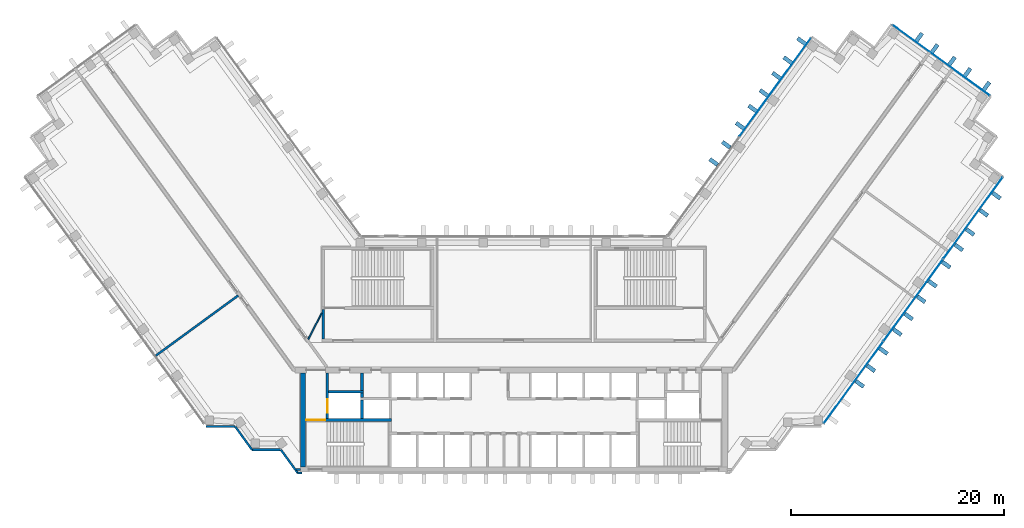
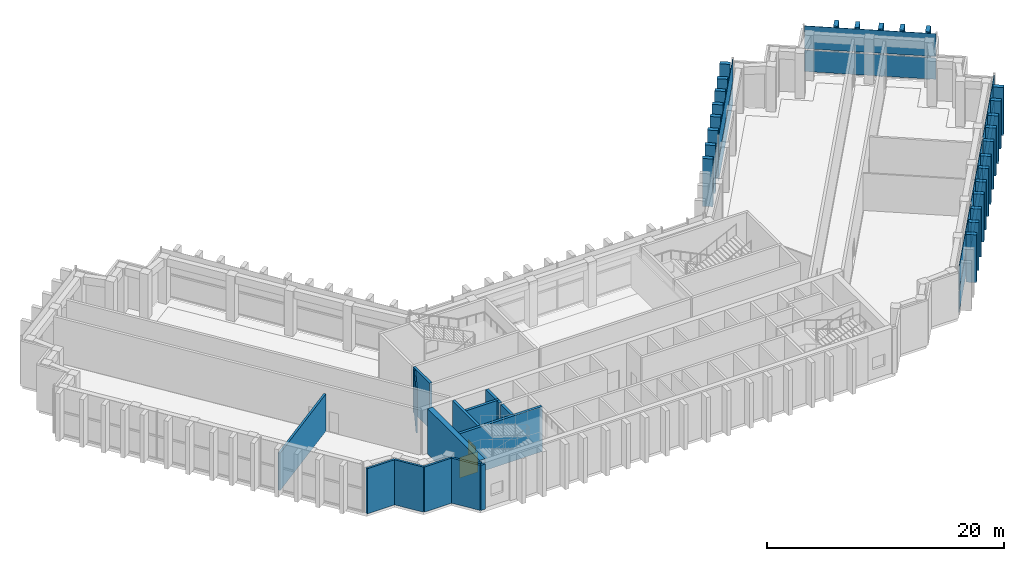
# One storey, part 7 of 14: 35 plates, 16 walls, 2 doors, 2 openings, 3 elements without a shape of their own.
"""IFC4 building model written with IfcOpenShell, lengths in metres."""

from ifc_helpers import new_model, si_unit, direction, frame, frame_2d, origin, origin_2d, place, context, subcontext, project, spatial, rectangle, extrude, material, layer, layer_set, type_object, element, fill, aggregate, save


model = new_model("IFC4")

# Units and contexts
model_context = context("Model", 3, precision=1e-05, world=origin(), true_north=direction((0.0, 1.0)))
body_context = subcontext(model_context, "Body", "Model", "MODEL_VIEW")
ifc_project = project(units=[si_unit("LENGTHUNIT", "METRE"), si_unit("AREAUNIT", "SQUARE_METRE"), si_unit("VOLUMEUNIT", "CUBIC_METRE"), si_unit("PLANEANGLEUNIT", "RADIAN"), si_unit("MASSUNIT", "GRAM", prefix="KILO")], contexts=[model_context])

# Site, building, storey
site_placement = place(None, origin())
site = spatial("IfcSite", under=ifc_project, at=site_placement, CompositionType="ELEMENT")
building_placement = place(site_placement, origin())
building = spatial("IfcBuilding", under=site, at=building_placement, Name="Quipu Civic Tower", CompositionType="ELEMENT")
storey_placement = place(building_placement, frame((0.0, 0.0, 139.0)))
storey = spatial("IfcBuildingStorey", under=building, at=storey_placement, Name="L32", CompositionType="ELEMENT", Elevation=139.0)

# Curtain wall, plates
ifc_material_1 = material(Name="Insulated glass unit", Category="glass")
curtain_wall_type = type_object("IfcCurtainWallType", Name="Sky lobby and refuge curtain wall CW5", PredefinedType="NOTDEFINED", material=ifc_material_1)
curtain_wall_1_placement = place(storey_placement, origin())
curtain_wall_1 = element("IfcCurtainWall", 1, at=curtain_wall_1_placement, inside=storey, type_object=curtain_wall_type, Name="Sky lobby and refuge curtain wall CW5 L32 run 23", PredefinedType="NOTDEFINED")
ifc_material_2 = material(Name="Insulated glass unit", Category="glass")
ifc_layer_1 = layer(ifc_material_2, 0.035888671875)
ifc_layer_set_1 = layer_set([ifc_layer_1], Name="Insulated glass unit")
plate_type_1 = type_object("IfcPlateType", Name="Glass panel CW5", PredefinedType="CURTAIN_PANEL", material=ifc_layer_set_1)
plate_1_placement = place(storey_placement, frame((31.829345703125, -2.602783203125, 0.22509765625), z_axis=(0.0, 0.0, 1.0), x_axis=(0.5877856923, 0.80901667469, 0.0)))
plate_1 = element("IfcPlate", 2, at=plate_1_placement, type_object=plate_type_1, Name="CW5 panel 1.1", PredefinedType="CURTAIN_PANEL", context=body_context, shape_type="SweptSolid", body=[
    extrude(rectangle(XDim=9.386962890625, YDim=0.035888671875, at=origin_2d()), origin(), (0.0, 0.0, 1.0), 2.199951171875),
])
plate_2_placement = place(storey_placement, frame((31.829345703125, -2.602783203125, 2.574951171875), z_axis=(0.0, 0.0, 1.0), x_axis=(0.5877856923, 0.80901667469, 0.0)))
plate_2 = element("IfcPlate", 3, at=plate_2_placement, type_object=plate_type_1, Name="CW5 panel 1.2", PredefinedType="CURTAIN_PANEL", context=body_context, shape_type="SweptSolid", body=[
    extrude(rectangle(XDim=9.386962890625, YDim=0.035888671875, at=origin_2d()), origin(), (0.0, 0.0, 1.0), 2.35009765625),
])
plate_3_placement = place(storey_placement, frame((37.427734375, 5.102783203125, 0.22509765625), z_axis=(0.0, 0.0, 1.0), x_axis=(0.5877856923, 0.80901667469, 0.0)))
plate_3 = element("IfcPlate", 4, at=plate_3_placement, type_object=plate_type_1, Name="CW5 panel 2.1", PredefinedType="CURTAIN_PANEL", context=body_context, shape_type="SweptSolid", body=[
    extrude(rectangle(XDim=9.44189453125, YDim=0.035888671875, at=origin_2d()), origin(), (0.0, 0.0, 1.0), 2.199951171875),
])
plate_4_placement = place(storey_placement, frame((37.427734375, 5.102783203125, 2.574951171875), z_axis=(0.0, 0.0, 1.0), x_axis=(0.5877856923, 0.80901667469, 0.0)))
plate_4 = element("IfcPlate", 5, at=plate_4_placement, type_object=plate_type_1, Name="CW5 panel 2.2", PredefinedType="CURTAIN_PANEL", context=body_context, shape_type="SweptSolid", body=[
    extrude(rectangle(XDim=9.44189453125, YDim=0.035888671875, at=origin_2d()), origin(), (0.0, 0.0, 1.0), 2.35009765625),
])
plate_5_placement = place(storey_placement, frame((43.026123046875, 12.80810546875, 0.22509765625), z_axis=(0.0, 0.0, 1.0), x_axis=(0.5877856923, 0.80901667469, 0.0)))
plate_5 = element("IfcPlate", 6, at=plate_5_placement, type_object=plate_type_1, Name="CW5 panel 3.1", PredefinedType="CURTAIN_PANEL", context=body_context, shape_type="SweptSolid", body=[
    extrude(rectangle(XDim=9.386962890625, YDim=0.035888671875, at=origin_2d()), origin(), (0.0, 0.0, 1.0), 2.199951171875),
])
plate_6_placement = place(storey_placement, frame((43.026123046875, 12.80810546875, 2.574951171875), z_axis=(0.0, 0.0, 1.0), x_axis=(0.5877856923, 0.80901667469, 0.0)))
plate_6 = element("IfcPlate", 7, at=plate_6_placement, type_object=plate_type_1, Name="CW5 panel 3.2", PredefinedType="CURTAIN_PANEL", context=body_context, shape_type="SweptSolid", body=[
    extrude(rectangle(XDim=9.386962890625, YDim=0.035888671875, at=origin_2d()), origin(), (0.0, 0.0, 1.0), 2.35009765625),
])
aggregate(curtain_wall_1, [plate_1, plate_2, plate_3, plate_4, plate_5, plate_6])

curtain_wall_2_placement = place(storey_placement, origin())
curtain_wall_2 = element("IfcCurtainWall", 8, at=curtain_wall_2_placement, inside=storey, type_object=curtain_wall_type, Name="Sky lobby and refuge curtain wall CW5 L32 run 28", PredefinedType="NOTDEFINED")
plate_7_placement = place(storey_placement, frame((40.04345703125, 27.58740234375, 0.22509765625), z_axis=(0.0, 0.0, 1.0), x_axis=(-0.809015176832, 0.587787753918, 0.0)))
plate_7 = element("IfcPlate", 9, at=plate_7_placement, type_object=plate_type_1, Name="CW5 panel 1.1", PredefinedType="CURTAIN_PANEL", context=body_context, shape_type="SweptSolid", body=[
    extrude(rectangle(XDim=11.179931640625, YDim=0.035888671875, at=origin_2d()), origin(), (0.0, 0.0, 1.0), 2.199951171875),
])
plate_8_placement = place(storey_placement, frame((40.04345703125, 27.58740234375, 2.574951171875), z_axis=(0.0, 0.0, 1.0), x_axis=(-0.809015176832, 0.587787753918, 0.0)))
plate_8 = element("IfcPlate", 10, at=plate_8_placement, type_object=plate_type_1, Name="CW5 panel 1.2", PredefinedType="CURTAIN_PANEL", context=body_context, shape_type="SweptSolid", body=[
    extrude(rectangle(XDim=11.179931640625, YDim=0.035888671875, at=origin_2d()), origin(), (0.0, 0.0, 1.0), 2.35009765625),
])
aggregate(curtain_wall_2, [plate_7, plate_8])

curtain_wall_3_placement = place(storey_placement, origin())
curtain_wall_3 = element("IfcCurtainWall", 11, at=curtain_wall_3_placement, inside=storey, type_object=curtain_wall_type, Name="Sky lobby and refuge curtain wall CW5 L32 run 33", PredefinedType="NOTDEFINED")
plate_9_placement = place(storey_placement, frame((24.48681640625, 25.06005859375, 0.22509765625), z_axis=(0.0, 0.0, 1.0), x_axis=(-0.587788727052, -0.809014469803, 0.0)))
plate_9 = element("IfcPlate", 12, at=plate_9_placement, type_object=plate_type_1, Name="CW5 panel 1.1", PredefinedType="CURTAIN_PANEL", context=body_context, shape_type="SweptSolid", body=[
    extrude(rectangle(XDim=11.357177734375, YDim=0.035888671875, at=origin_2d()), origin(), (0.0, 0.0, 1.0), 2.199951171875),
])
plate_10_placement = place(storey_placement, frame((24.48681640625, 25.06005859375, 2.574951171875), z_axis=(0.0, 0.0, 1.0), x_axis=(-0.587788727052, -0.809014469803, 0.0)))
plate_10 = element("IfcPlate", 13, at=plate_10_placement, type_object=plate_type_1, Name="CW5 panel 1.2", PredefinedType="CURTAIN_PANEL", context=body_context, shape_type="SweptSolid", body=[
    extrude(rectangle(XDim=11.357177734375, YDim=0.035888671875, at=origin_2d()), origin(), (0.0, 0.0, 1.0), 2.35009765625),
])
aggregate(curtain_wall_3, [plate_9, plate_10])

# Plates
ifc_material_3 = material(Name="Precast concrete C40/50", Category="concrete")
plate_type_2 = type_object("IfcPlateType", Name="Precast fin F2", PredefinedType="SHEET", material=ifc_material_3)
for number, where, z_axis, x_axis, name in (
    (14, (32.412841796875, -2.7353515625, 0.0751953125), (0.0, 0.0, 1.0), (0.587785620359, 0.809016726959, 0.0), "Precast fin F2 L32.23.3"),
    (15, (33.470947265625, -1.279052734375, 0.0751953125), (0.0, 0.0, 1.0), (0.587785620359, 0.809016726959, 0.0), "Precast fin F2 L32.23.4"),
    (16, (34.646484375, 0.339111328125, 0.0751953125), (0.0, 0.0, 1.0), (0.587785620359, 0.809016726959, 0.0), "Precast fin F2 L32.23.5"),
    (17, (35.939697265625, 2.118896484375, 0.0751953125), (0.0, 0.0, 1.0), (0.587785620359, 0.809016726959, 0.0), "Precast fin F2 L32.23.6"),
    (18, (36.99755859375, 3.5751953125, 0.0751953125), (0.0, 0.0, 1.0), (0.587785620359, 0.809016726959, 0.0), "Precast fin F2 L32.23.7"),
    (19, (38.173095703125, 5.193115234375, 0.0751953125), (0.0, 0.0, 1.0), (0.587785620359, 0.809016726959, 0.0), "Precast fin F2 L32.23.8"),
    (20, (39.231201171875, 6.6494140625, 0.0751953125), (0.0, 0.0, 1.0), (0.587785620359, 0.809016726959, 0.0), "Precast fin F2 L32.23.9"),
    (21, (40.5244140625, 8.42919921875, 0.0751953125), (0.0, 0.0, 1.0), (0.587785620359, 0.809016726959, 0.0), "Precast fin F2 L32.23.10"),
    (22, (41.699951171875, 10.047119140625, 0.0751953125), (0.0, 0.0, 1.0), (0.587785620359, 0.809016726959, 0.0), "Precast fin F2 L32.23.11"),
    (23, (42.7578125, 11.50341796875, 0.0751953125), (0.0, 0.0, 1.0), (0.587785620359, 0.809016726959, 0.0), "Precast fin F2 L32.23.12"),
    (24, (44.051025390625, 13.283203125, 0.0751953125), (0.0, 0.0, 1.0), (0.587785620359, 0.809016726959, 0.0), "Precast fin F2 L32.23.13"),
    (25, (45.2265625, 14.9013671875, 0.0751953125), (0.0, 0.0, 1.0), (0.587785620359, 0.809016726959, 0.0), "Precast fin F2 L32.23.14"),
    (26, (44.298583984375, 25.17578125, 0.0751953125), (0.0, 0.0, 1.0), (-0.809017072762, 0.587785144401, 0.0), "Precast fin F2 L32.28.1"),
    (27, (42.518798828125, 26.468994140625, 0.0751953125), (0.0, 0.0, 1.0), (-0.809017072762, 0.587785144401, 0.0), "Precast fin F2 L32.28.2"),
    (28, (41.0625, 27.52685546875, 0.0751953125), (0.0, 0.0, 1.0), (-0.809017072762, 0.587785144401, 0.0), "Precast fin F2 L32.28.3"),
    (29, (39.444580078125, 28.70263671875, 0.0751953125), (0.0, 0.0, 1.0), (-0.809017072762, 0.587785144401, 0.0), "Precast fin F2 L32.28.4"),
    (30, (37.98828125, 29.760498046875, 0.0751953125), (0.0, 0.0, 1.0), (-0.809017072762, 0.587785144401, 0.0), "Precast fin F2 L32.28.5"),
    (31, (26.95068359375, 29.386962890625, 0.0751953125), (0.0, 0.0, 1.0), (-0.587787133119, -0.809015627871, 0.0), "Precast fin F2 L32.33.1"),
    (32, (25.657470703125, 27.607177734375, 0.0751953125), (0.0, 0.0, 1.0), (-0.587787133119, -0.809015627871, 0.0), "Precast fin F2 L32.33.2"),
    (33, (24.599609375, 26.15087890625, 0.0751953125), (0.0, 0.0, 1.0), (-0.587787133119, -0.809015627871, 0.0), "Precast fin F2 L32.33.3"),
    (34, (23.424072265625, 24.53271484375, 0.0751953125), (0.0, 0.0, 1.0), (-0.587787133119, -0.809015627871, 0.0), "Precast fin F2 L32.33.4"),
    (35, (22.365966796875, 23.07666015625, 0.0751953125), (0.0, 0.0, 1.0), (-0.587787133119, -0.809015627871, 0.0), "Precast fin F2 L32.33.5"),
    (36, (21.1904296875, 21.45849609375, 0.0751953125), (0.0, 0.0, 1.0), (-0.587787133119, -0.809015627871, 0.0), "Precast fin F2 L32.33.6"),
    (37, (19.897216796875, 19.6787109375, 0.0751953125), (0.0, 0.0, 1.0), (-0.587787133119, -0.809015627871, 0.0), "Precast fin F2 L32.33.7"),
    (38, (18.7216796875, 18.060791015625, 0.0751953125), (0.0, 0.0, 1.0), (-0.587787133119, -0.809015627871, 0.0), "Precast fin F2 L32.33.8"),
):
    element("IfcPlate", number, at=place(storey_placement, frame(where, z_axis=z_axis, x_axis=x_axis)), inside=storey, type_object=plate_type_2, Name=name, PredefinedType="SHEET", context=body_context, shape_type="SweptSolid", body=[
        extrude(rectangle(XDim=0.3798828125, YDim=0.89990234375, at=origin_2d()), origin(), (0.0, 0.0, 1.0), 4.925048828125),
    ])

# Wall
ifc_material_4 = material(Name="Fired clay blockwork", Category="masonry")
ifc_layer_2 = layer(ifc_material_4, 0.199951171875)
ifc_layer_set_2 = layer_set([ifc_layer_2], Name="Fired clay blockwork")
wall_type_1 = type_object("IfcWallType", Name="Blockwork wall 200", PredefinedType="SOLIDWALL", material=ifc_layer_set_2)
wall_1_placement = place(storey_placement, frame((-33.5380859375, -0.08056640625, 0.0), z_axis=(0.0, 0.0, 1.0), x_axis=(0.80759810708, 0.589733242612, 0.0)))
element("IfcWall", 39, at=wall_1_placement, inside=storey, type_object=wall_type_1, Name="Partition P02", PredefinedType="SOLIDWALL", context=body_context, shape_type="SweptSolid", body=[
    extrude(rectangle(XDim=9.5498046875, YDim=0.199951171875, at=frame_2d((4.77490234375, 0.0))), origin(), (0.0, 0.0, 1.0), 3.85009765625),
])

# Wall, opening, door
ifc_material_5 = material(Name="Concrete C70/85", Category="concrete")
ifc_layer_3 = layer(ifc_material_5, 0.25)
ifc_layer_set_3 = layer_set([ifc_layer_3], Name="Concrete C70/85")
wall_type_2 = type_object("IfcWallType", Name="Core wall 250", PredefinedType="SHEAR", material=ifc_layer_set_3)
wall_2_placement = place(storey_placement, frame((-11.449951171875, -6.125, 0.0), z_axis=(0.0, 0.0, 1.0), x_axis=(-1.0, 0.0, 0.0)))
wall_2 = element("IfcWall", 40, at=wall_2_placement, inside=storey, type_object=wall_type_2, Name="Core wall", PredefinedType="SHEAR", context=body_context, shape_type="SweptSolid", body=[
    extrude(rectangle(XDim=8.050048828125, YDim=0.25, at=frame_2d((4.02490234375, 0.0))), origin(), (0.0, 0.0, 1.0), 4.64990234375),
])
opening_1_placement = place(wall_2_placement, frame((6.199951171875, 0.0, 0.0)))
opening_1 = element("IfcOpeningElement", 41, at=opening_1_placement, cuts=wall_2, Name="Opening CD-05", PredefinedType="OPENING", context=body_context, shape_type="SweptSolid", body=[
    extrude(rectangle(XDim=1.800048828125, YDim=2.10009765625, at=frame_2d((0.89990234375, 1.050048828125))), frame((0.0, 0.135009765625, 0.0), z_axis=(0.0, -1.0, 0.0), x_axis=(1.0, 0.0, 0.0)), (0.0, 0.0, 1.0), 0.27001953125),
])
ifc_material_6 = material(Name="Fire rated steel door", Category="steel")
door_type_1 = type_object("IfcDoorType", Name="Fire door FD90 double 1800 x 2100", OperationType="NOTDEFINED", PredefinedType="DOOR", material=ifc_material_6)
door_1_placement = place(opening_1_placement, origin())
door_1 = element("IfcDoor", 42, at=door_1_placement, inside=storey, type_object=door_type_1, Name="Door", OperationType="DOUBLE_DOOR_SINGLE_SWING", OverallHeight=2.10009765625, OverallWidth=1.800048828125, PredefinedType="DOOR", context=body_context, shape_type="SweptSolid", body=[
    extrude(rectangle(XDim=1.800048828125, YDim=2.10009765625, at=frame_2d((0.89990234375, 1.050048828125))), frame((0.0, 0.02490234375, 0.0), z_axis=(0.0, -1.0, 0.0), x_axis=(1.0, 0.0, 0.0)), (0.0, 0.0, 1.0), 0.050048828125),
])
fill(opening_1, door_1)

wall_3_placement = place(storey_placement, frame((-17.47509765625, -6.0, 0.0), z_axis=(0.0, 0.0, 1.0), x_axis=(0.0, 1.0, 0.0)))
wall_3 = element("IfcWall", 43, at=wall_3_placement, inside=storey, type_object=wall_type_2, Name="Core wall", PredefinedType="SHEAR", context=body_context, shape_type="SweptSolid", body=[
    extrude(rectangle(XDim=4.300048828125, YDim=0.25, at=frame_2d((2.14990234375, 0.0))), origin(), (0.0, 0.0, 1.0), 4.64990234375),
])
opening_2_placement = place(wall_3_placement, frame((0.550048828125, 0.0, 0.0)))
opening_2 = element("IfcOpeningElement", 44, at=opening_2_placement, cuts=wall_3, Name="Opening LD-FF1", PredefinedType="OPENING", context=body_context, shape_type="SweptSolid", body=[
    extrude(rectangle(XDim=1.300048828125, YDim=2.10009765625, at=frame_2d((0.64990234375, 1.050048828125))), frame((0.0, 0.135009765625, 0.0), z_axis=(0.0, -1.0, 0.0), x_axis=(1.0, 0.0, 0.0)), (0.0, 0.0, 1.0), 0.27001953125),
])
ifc_material_7 = material(Name="Stainless steel", Category="steel")
door_type_2 = type_object("IfcDoorType", Name="Lift landing door 1300 x 2100", OperationType="DOUBLE_DOOR_SLIDING", PredefinedType="DOOR", material=ifc_material_7)
door_2_placement = place(opening_2_placement, origin())
door_2 = element("IfcDoor", 45, at=door_2_placement, inside=storey, type_object=door_type_2, Name="Landing door FF1", OperationType="DOUBLE_DOOR_SLIDING", OverallHeight=2.10009765625, OverallWidth=1.300048828125, PredefinedType="DOOR", context=body_context, shape_type="SweptSolid", body=[
    extrude(rectangle(XDim=1.300048828125, YDim=2.10009765625, at=frame_2d((0.64990234375, 1.050048828125))), frame((0.0, 0.02490234375, 0.0), z_axis=(0.0, -1.0, 0.0), x_axis=(1.0, 0.0, 0.0)), (0.0, 0.0, 1.0), 0.050048828125),
])
fill(opening_2, door_2)

# Walls
wall_4_placement = place(storey_placement, frame((-14.22509765625, -6.0, 0.0), z_axis=(0.0, 0.0, 1.0), x_axis=(0.0, 1.0, 0.0)))
element("IfcWall", 46, at=wall_4_placement, inside=storey, type_object=wall_type_2, Name="Core wall", PredefinedType="SHEAR", context=body_context, shape_type="SweptSolid", body=[
    extrude(rectangle(XDim=1.75, YDim=0.25, at=frame_2d((0.875, 0.0))), origin(), (0.0, 0.0, 1.0), 4.64990234375),
])
wall_5_placement = place(storey_placement, frame((-14.22509765625, -4.0, 0.0), z_axis=(0.0, 0.0, 1.0), x_axis=(0.0, 1.0, 0.0)))
element("IfcWall", 47, at=wall_5_placement, inside=storey, type_object=wall_type_2, Name="Core wall", PredefinedType="SHEAR", context=body_context, shape_type="SweptSolid", body=[
    extrude(rectangle(XDim=0.39990234375, YDim=0.25, at=frame_2d((0.199951171875, 0.0))), origin(), (0.0, 0.0, 1.0), 4.64990234375),
])
wall_6_placement = place(storey_placement, frame((-17.35009765625, -3.47509765625, 0.0), z_axis=(0.0, 0.0, 1.0), x_axis=(1.0, 0.0, 0.0)))
element("IfcWall", 48, at=wall_6_placement, inside=storey, type_object=wall_type_2, Name="Core wall", PredefinedType="SHEAR", context=body_context, shape_type="SweptSolid", body=[
    extrude(rectangle(XDim=3.25, YDim=0.25, at=frame_2d((1.625, 0.0))), origin(), (0.0, 0.0, 1.0), 4.64990234375),
])
wall_7_placement = place(storey_placement, frame((-14.22509765625, -3.35009765625, 0.0), z_axis=(0.0, 0.0, 1.0), x_axis=(0.0, 1.0, 0.0)))
element("IfcWall", 49, at=wall_7_placement, inside=storey, type_object=wall_type_2, Name="Core wall", PredefinedType="SHEAR", context=body_context, shape_type="SweptSolid", body=[
    extrude(rectangle(XDim=1.650146484375, YDim=0.25, at=frame_2d((0.8251953125, 0.0))), origin(), (0.0, 0.0, 1.0), 4.64990234375),
])
wall_8_placement = place(storey_placement, frame((-17.875, 1.449951171875, 0.0), z_axis=(0.0, 0.0, 1.0), x_axis=(0.0, 1.0, 0.0)))
element("IfcWall", 50, at=wall_8_placement, inside=storey, type_object=wall_type_2, Name="Core wall", PredefinedType="SHEAR", context=body_context, shape_type="SweptSolid", body=[
    extrude(rectangle(XDim=2.800048828125, YDim=0.25, at=frame_2d((1.39990234375, 0.0))), origin(), (0.0, 0.0, 1.0), 4.64990234375),
])
ifc_material_8 = material(Name="Concrete C70/85", Category="concrete")
ifc_layer_4 = layer(ifc_material_8, 0.5)
ifc_layer_set_4 = layer_set([ifc_layer_4], Name="Concrete C70/85")
wall_type_3 = type_object("IfcWallType", Name="Core wall 500", PredefinedType="SHEAR", material=ifc_layer_set_4)
wall_9_placement = place(storey_placement, frame((-19.75, -10.5, 0.0), z_axis=(0.0, 0.0, 1.0), x_axis=(0.0, 1.0, 0.0)))
element("IfcWall", 51, at=wall_9_placement, inside=storey, type_object=wall_type_3, Name="Core wall", PredefinedType="SHEAR", context=body_context, shape_type="SweptSolid", body=[
    extrude(rectangle(XDim=8.800048828125, YDim=0.5, at=frame_2d((4.39990234375, 0.0))), origin(), (0.0, 0.0, 1.0), 4.64990234375),
])
ifc_material_9 = material(Name="Gypsum plasterboard on light gauge framing")
ifc_layer_5 = layer(ifc_material_9, 0.1201171875)
ifc_layer_set_5 = layer_set([ifc_layer_5], Name="Gypsum plasterboard on light gauge framing")
wall_type_4 = type_object("IfcWallType", Name="Partition 120 plasterboard", PredefinedType="PARTITIONING", material=ifc_layer_set_5)
wall_10_placement = place(storey_placement, frame((-19.260986328125, 1.449951171875, 0.0), z_axis=(0.0, 0.0, 1.0), x_axis=(0.453950796792, 0.891026752736, 0.0)))
element("IfcWall", 52, at=wall_10_placement, inside=storey, type_object=wall_type_4, Name="Partition P05", PredefinedType="PARTITIONING", context=body_context, shape_type="SweptSolid", body=[
    extrude(rectangle(XDim=2.77783203125, YDim=0.1201171875, at=frame_2d((1.388916015625, 0.0))), origin(), (0.0, 0.0, 1.0), 4.64990234375),
])
ifc_material_10 = material(Name="Precast concrete C40/50", Category="concrete")
wall_type_5 = type_object("IfcWallType", Name="Precast cladding wall", PredefinedType="SOLIDWALL", material=ifc_material_10)
wall_11_placement = place(storey_placement, frame((-28.829833984375, -6.71923828125, 0.0), z_axis=(0.0, 0.0, 1.0), x_axis=(1.0, 0.0, 0.0)))
element("IfcWall", 53, at=wall_11_placement, inside=storey, type_object=wall_type_5, Name="Precast cladding wall L32 12", PredefinedType="SOLIDWALL", context=body_context, shape_type="SweptSolid", body=[
    extrude(rectangle(XDim=2.699951171875, YDim=0.199951171875, at=frame_2d((1.35009765625, 0.0))), origin(), (0.0, 0.0, 1.0), 4.64990234375),
])
wall_12_placement = place(storey_placement, frame((-26.1201171875, -6.72412109375, 0.0), z_axis=(0.0, 0.0, 1.0), x_axis=(0.587720002413, -0.809064397168, 0.0)))
element("IfcWall", 54, at=wall_12_placement, inside=storey, type_object=wall_type_5, Name="Precast cladding wall L32 13", PredefinedType="SOLIDWALL", context=body_context, shape_type="SweptSolid", body=[
    extrude(rectangle(XDim=2.7001953125, YDim=0.199951171875, at=frame_2d((1.35009765625, 0.0))), origin(), (0.0, 0.0, 1.0), 4.64990234375),
])
wall_13_placement = place(storey_placement, frame((-24.542724609375, -8.90380859375, 0.0), z_axis=(0.0, 0.0, 1.0), x_axis=(1.0, 0.0, 0.0)))
element("IfcWall", 55, at=wall_13_placement, inside=storey, type_object=wall_type_5, Name="Precast cladding wall L32 14", PredefinedType="SOLIDWALL", context=body_context, shape_type="SweptSolid", body=[
    extrude(rectangle(XDim=2.699951171875, YDim=0.199951171875, at=frame_2d((1.35009765625, 0.0))), origin(), (0.0, 0.0, 1.0), 4.64990234375),
])
wall_14_placement = place(storey_placement, frame((-21.8330078125, -8.90869140625, 0.0), z_axis=(0.0, 0.0, 1.0), x_axis=(0.587766567315, -0.809030569476, 0.0)))
element("IfcWall", 56, at=wall_14_placement, inside=storey, type_object=wall_type_5, Name="Precast cladding wall L32 15", PredefinedType="SOLIDWALL", context=body_context, shape_type="SweptSolid", body=[
    extrude(rectangle(XDim=2.687744140625, YDim=0.199951171875, at=frame_2d((1.34375, 0.0))), origin(), (0.0, 0.0, 1.0), 4.64990234375),
])
wall_15_placement = place(storey_placement, frame((-20.255859375, -11.087890625, 0.0), z_axis=(0.0, 0.0, 1.0), x_axis=(1.0, 0.0, 0.0)))
element("IfcWall", 57, at=wall_15_placement, inside=storey, type_object=wall_type_5, Name="Precast cladding wall L32 16", PredefinedType="SOLIDWALL", context=body_context, shape_type="SweptSolid", body=[
    extrude(rectangle(XDim=0.40576171875, YDim=0.199951171875, at=frame_2d((0.202880859375, 0.0))), origin(), (0.0, 0.0, 1.0), 4.64990234375),
])
wall_16_placement = place(storey_placement, frame((-19.97998046875, -10.75, 0.0), z_axis=(0.0, 0.0, 1.0), x_axis=(-1.0, 0.0, 0.0)))
element("IfcWall", 58, at=wall_16_placement, inside=storey, type_object=wall_type_5, Name="Precast cladding return L32 W", PredefinedType="SOLIDWALL", context=body_context, shape_type="SweptSolid", body=[
    extrude(rectangle(XDim=0.41650390625, YDim=0.199951171875, at=frame_2d((0.208251953125, 0.0))), origin(), (0.0, 0.0, 1.0), 4.64990234375),
])

save(model, "model.ifc")
